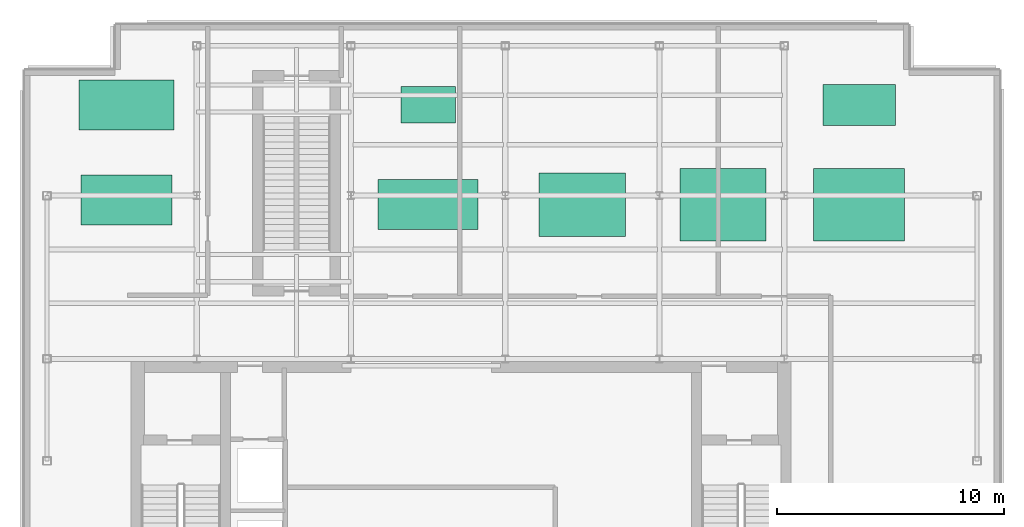
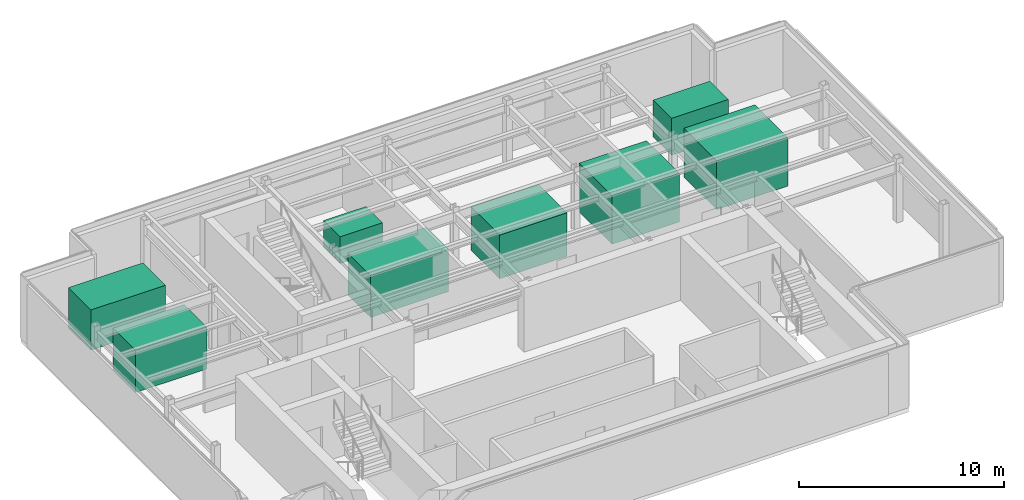
# One storey, part 7 of 7: 2 chillers, 2 cooling towers, 1 boiler, 1 pump, 1 tank, 1 unitary equipment element.
"""IFC4 building model written with IfcOpenShell, lengths in metres."""

from ifc_helpers import new_model, si_unit, derived_unit, direction, frame, origin, origin_2d, place, context, subcontext, project, spatial, rectangle, extrude, source, transform, mapped, material, type_object, element, save


model = new_model("IFC4")

# Units and contexts
model_context = context("Model", 3, precision=1e-05, world=origin(), true_north=direction((0.0, 1.0)))
body_context = subcontext(model_context, "Body", "Model", "MODEL_VIEW")
ifc_project = project(units=[si_unit("LENGTHUNIT", "METRE"), si_unit("AREAUNIT", "SQUARE_METRE"), si_unit("VOLUMEUNIT", "CUBIC_METRE"), si_unit("PLANEANGLEUNIT", "RADIAN"), si_unit("MASSUNIT", "GRAM", prefix="KILO"), derived_unit("THERMALTRANSMITTANCEUNIT", [(si_unit("POWERUNIT", "WATT"), 1), (si_unit("LENGTHUNIT", "METRE"), -2), (si_unit("THERMODYNAMICTEMPERATUREUNIT", "KELVIN"), -1)])], contexts=[model_context])

# Site, building, storey
site_placement = place(None, origin())
site = spatial("IfcSite", under=ifc_project, at=site_placement, CompositionType="ELEMENT")
building_placement = place(site_placement, origin())
building = spatial("IfcBuilding", under=site, at=building_placement, Name="Skarnbrae Concourse Arena and Tower", CompositionType="ELEMENT")
storey_placement = place(building_placement, frame((0.0, 0.0, 303.64990234375)))
storey = spatial("IfcBuildingStorey", under=building, at=storey_placement, Name="L79", CompositionType="ELEMENT", Elevation=303.64990234375)

# Chiller
ifc_material = material(Name="Painted steel mechanical equipment skid", Category="steel")
chiller_type = type_object("IfcChillerType", Name="EQP-CHILLER-CENT", PredefinedType="NOTDEFINED", material=ifc_material)
shared_shape_1 = source(origin(), body_context, "Body", "SweptSolid", [
    extrude(rectangle(XDim=4.0, YDim=2.199951171875, at=origin_2d()), origin(), (0.0, 0.0, 1.0), 2.5),
])
chiller_1_placement = place(storey_placement, frame((4.5, 21.0, 0.0), z_axis=(0.0, 0.0, 1.0), x_axis=(1.0, 0.0, 0.0)))
element("IfcChiller", 1, at=chiller_1_placement, inside=storey, type_object=chiller_type, Name="L79 Crown mechanical plant unit CH1", PredefinedType="NOTDEFINED", context=body_context, shape_type="MappedRepresentation", body=[
    mapped(shared_shape_1, transform((0.0, 0.0, 0.0))),
])

# Cooling towers
cooling_tower_type = type_object("IfcCoolingTowerType", Name="EQP-CTOWER-CELL", PredefinedType="NOTDEFINED", material=ifc_material)
shared_shape_2 = source(origin(), body_context, "Body", "SweptSolid", [
    extrude(rectangle(XDim=3.800048828125, YDim=3.199951171875, at=origin_2d()), origin(), (0.0, 0.0, 1.0), 2.89990234375),
])
cooling_tower_1_placement = place(storey_placement, frame((30.800048828125, 20.800048828125, 0.000244140625), z_axis=(0.0, 0.0, 1.0), x_axis=(1.0, 0.0, 0.0)))
element("IfcCoolingTower", 2, at=cooling_tower_1_placement, inside=storey, type_object=cooling_tower_type, Name="L79 Crown mechanical plant unit CT1", PredefinedType="NOTDEFINED", context=body_context, shape_type="MappedRepresentation", body=[
    mapped(shared_shape_2, transform((0.0, 0.0, 0.0))),
])
shared_shape_3 = source(origin(), body_context, "Body", "SweptSolid", [
    extrude(rectangle(XDim=4.0, YDim=3.199951171875, at=origin_2d()), origin(), (0.0, 0.0, 1.0), 2.89990234375),
])
cooling_tower_2_placement = place(storey_placement, frame((36.800048828125, 20.800048828125, 0.000244140625), z_axis=(0.0, 0.0, 1.0), x_axis=(1.0, 0.0, 0.0)))
element("IfcCoolingTower", 3, at=cooling_tower_2_placement, inside=storey, type_object=cooling_tower_type, Name="L79 Crown mechanical plant unit CT2", PredefinedType="NOTDEFINED", context=body_context, shape_type="MappedRepresentation", body=[
    mapped(shared_shape_3, transform((0.0, 0.0, 0.0))),
])

# Unitary equipment
unitary_equipment_type = type_object("IfcUnitaryEquipmentType", Name="EQP-AHU-CUSTOM", PredefinedType="NOTDEFINED", material=ifc_material)
shared_shape_4 = source(origin(), body_context, "Body", "SweptSolid", [
    extrude(rectangle(XDim=4.199951171875, YDim=2.199951171875, at=origin_2d()), origin(), (0.0, 0.0, 1.0), 2.39990234375),
])
unitary_equipment_placement = place(storey_placement, frame((4.5, 25.199951171875, 0.000244140625), z_axis=(0.0, 0.0, 1.0), x_axis=(1.0, 0.0, 0.0)))
element("IfcUnitaryEquipment", 4, at=unitary_equipment_placement, inside=storey, type_object=unitary_equipment_type, Name="L79 Crown mechanical plant unit AH1", PredefinedType="NOTDEFINED", context=body_context, shape_type="MappedRepresentation", body=[
    mapped(shared_shape_4, transform((0.0, 0.0, 0.0))),
])

# Boiler
boiler_type = type_object("IfcBoilerType", Name="EQP-BOILER-COND", PredefinedType="NOTDEFINED", material=ifc_material)
shared_shape_5 = source(origin(), body_context, "Body", "SweptSolid", [
    extrude(rectangle(XDim=3.199951171875, YDim=1.800048828125, at=origin_2d()), origin(), (0.0, 0.0, 1.0), 2.199951171875),
])
boiler_placement = place(storey_placement, frame((36.800048828125, 25.199951171875, 0.0), z_axis=(0.0, 0.0, 1.0), x_axis=(1.0, 0.0, 0.0)))
element("IfcBoiler", 5, at=boiler_placement, inside=storey, type_object=boiler_type, Name="L79 Crown mechanical plant unit BL1", PredefinedType="NOTDEFINED", context=body_context, shape_type="MappedRepresentation", body=[
    mapped(shared_shape_5, transform((0.0, 0.0, 0.0))),
])

# Chiller
shared_shape_6 = source(origin(), body_context, "Body", "SweptSolid", [
    extrude(rectangle(XDim=4.39990234375, YDim=2.199951171875, at=origin_2d()), origin(), (0.0, 0.0, 1.0), 2.5),
])
chiller_2_placement = place(storey_placement, frame((17.800048828125, 20.800048828125, 0.0), z_axis=(0.0, 0.0, 1.0), x_axis=(1.0, 0.0, 0.0)))
element("IfcChiller", 6, at=chiller_2_placement, inside=storey, type_object=chiller_type, Name="L79 Crown mechanical plant unit CH2", PredefinedType="NOTDEFINED", context=body_context, shape_type="MappedRepresentation", body=[
    mapped(shared_shape_6, transform((0.0, 0.0, 0.0))),
])

# Tank
tank_type = type_object("IfcTankType", Name="EQP-WTANK-DOM", PredefinedType="NOTDEFINED", material=ifc_material)
shared_shape_7 = source(origin(), body_context, "Body", "SweptSolid", [
    extrude(rectangle(XDim=3.800048828125, YDim=2.800048828125, at=origin_2d()), origin(), (0.0, 0.0, 1.0), 2.60009765625),
])
tank_placement = place(storey_placement, frame((24.60009765625, 20.800048828125, 0.0), z_axis=(0.0, 0.0, 1.0), x_axis=(1.0, 0.0, 0.0)))
element("IfcTank", 7, at=tank_placement, inside=storey, type_object=tank_type, Name="L79 Crown mechanical plant unit TK1", PredefinedType="NOTDEFINED", context=body_context, shape_type="MappedRepresentation", body=[
    mapped(shared_shape_7, transform((0.0, 0.0, 0.0))),
])

# Pump
pump_type = type_object("IfcPumpType", Name="EQP-PUMP-SKID", PredefinedType="NOTDEFINED", material=ifc_material)
shared_shape_8 = source(origin(), body_context, "Body", "SweptSolid", [
    extrude(rectangle(XDim=2.39990234375, YDim=1.60009765625, at=origin_2d()), origin(), (0.0, 0.0, 1.0), 1.60009765625),
])
pump_placement = place(storey_placement, frame((17.800048828125, 25.199951171875, 0.0), z_axis=(0.0, 0.0, 1.0), x_axis=(1.0, 0.0, 0.0)))
element("IfcPump", 8, at=pump_placement, inside=storey, type_object=pump_type, Name="L79 Crown mechanical plant unit PM1", PredefinedType="NOTDEFINED", context=body_context, shape_type="MappedRepresentation", body=[
    mapped(shared_shape_8, transform((0.0, 0.0, 0.0))),
])

save(model, "model.ifc")
